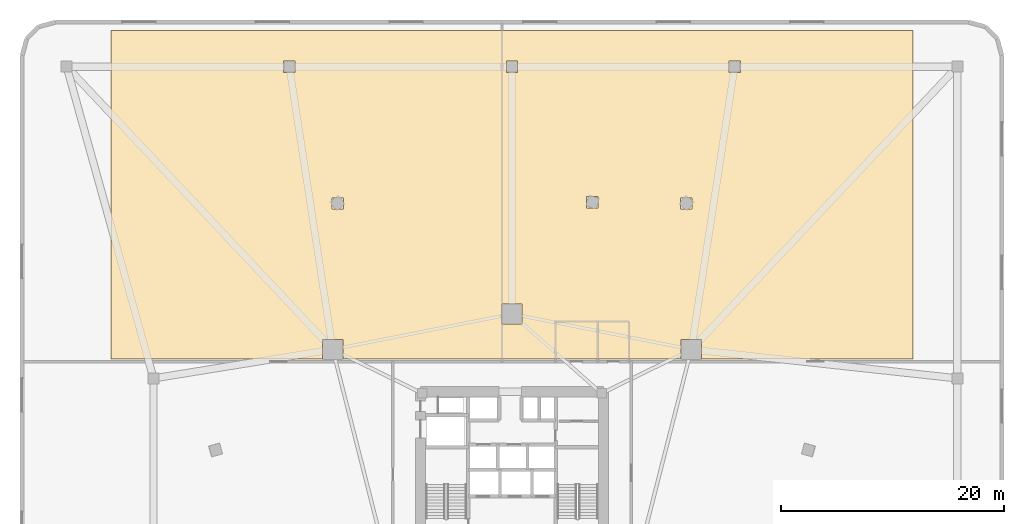
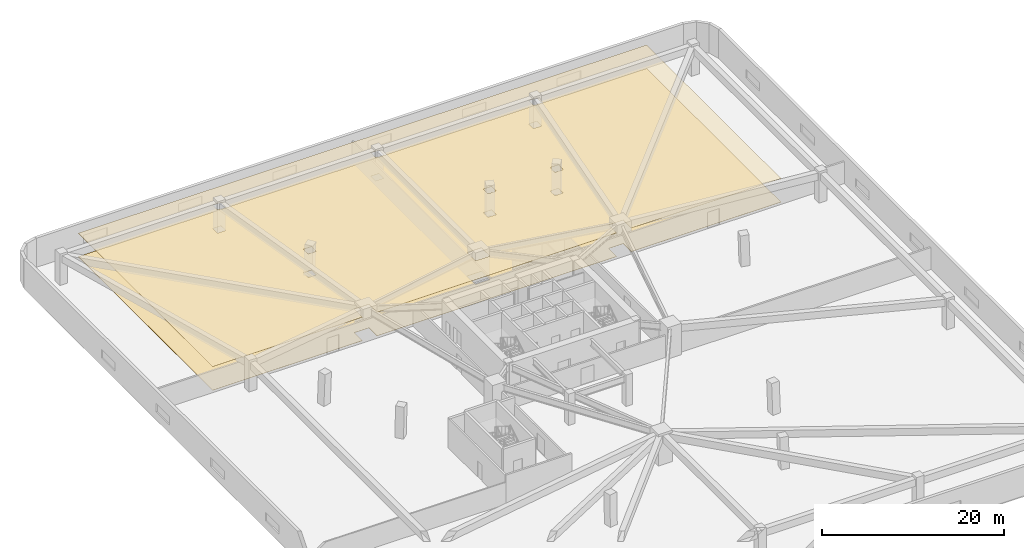
# One storey, part 10 of 10: 2 coverings.
"""IFC4 building model written with IfcOpenShell, lengths in metres."""

from ifc_helpers import new_model, si_unit, direction, frame, origin, place, context, subcontext, project, spatial, polyline, outline, extrude, material, layer, layer_set, type_object, element, save


model = new_model("IFC4")

# Units and contexts
model_context = context("Model", 3, precision=1e-05, world=origin(), true_north=direction((0.0, 1.0)))
body_context = subcontext(model_context, "Body", "Model", "MODEL_VIEW")
ifc_project = project(units=[si_unit("LENGTHUNIT", "METRE"), si_unit("AREAUNIT", "SQUARE_METRE"), si_unit("VOLUMEUNIT", "CUBIC_METRE"), si_unit("PLANEANGLEUNIT", "RADIAN"), si_unit("MASSUNIT", "GRAM", prefix="KILO")], contexts=[model_context])

# Site, building, storey
site_placement = place(None, origin())
site = spatial("IfcSite", under=ifc_project, at=site_placement, CompositionType="ELEMENT")
building_placement = place(site_placement, origin())
building = spatial("IfcBuilding", under=site, at=building_placement, Name="Talyreon Biosciences Tower", CompositionType="ELEMENT")
storey_placement = place(building_placement, frame((0.0, 0.0, 14.39990234375)))
storey = spatial("IfcBuildingStorey", under=building, at=storey_placement, Name="L03", CompositionType="ELEMENT", Elevation=14.39990234375)

# Coverings
ifc_material_1 = material(Name="Cleanable acoustic mineral-fibre ceiling tile", Category="gypsum")
ifc_layer_1 = layer(ifc_material_1, 0.0400390625)
ifc_layer_set_1 = layer_set([ifc_layer_1], Name="Cleanable acoustic mineral-fibre ceiling tile")
covering_type_1 = type_object("IfcCoveringType", Name="AcousticCleanroomCeiling_40", PredefinedType="CEILING", material=ifc_layer_set_1)
covering_1_placement = place(storey_placement, frame((0.0, 0.0, 3.14013671875)))
element("IfcCovering", 1, at=covering_1_placement, inside=storey, type_object=covering_type_1, Name="L03 Acoustic Laboratory Ceiling", PredefinedType="CEILING", context=body_context, shape_type="SweptSolid", body=[
    extrude(outline(polyline([(102.0, 77.75), (83.017333984375, 77.75), (83.017333984375, 79.513671875), (81.1875, 79.513671875), (81.1875, 77.75), (50.8125, 77.75), (50.8125, 79.513671875), (48.982666015625, 79.513671875), (48.982666015625, 77.75), (30.0, 77.75), (30.0, 107.25), (102.0, 107.25), (102.0, 77.75)]), holes=[polyline([(65.0849609375, 80.873779296875), (66.9150390625, 80.873779296875), (66.9150390625, 82.703857421875), (65.0849609375, 82.703857421875), (65.0849609375, 80.873779296875)]), polyline([(50.8720703125, 92.224853515625), (49.842041015625, 92.224853515625), (49.842041015625, 91.19482421875), (50.8720703125, 91.19482421875), (50.8720703125, 92.224853515625)]), polyline([(45.485107421875, 104.514892578125), (45.485107421875, 103.485107421875), (46.514892578125, 103.485107421875), (46.514892578125, 104.514892578125), (45.485107421875, 104.514892578125)]), polyline([(82.157958984375, 92.224853515625), (81.1279296875, 92.224853515625), (81.1279296875, 91.19482421875), (82.157958984375, 91.19482421875), (82.157958984375, 92.224853515625)]), polyline([(73.73486328125, 92.324951171875), (72.704833984375, 92.324951171875), (72.704833984375, 91.294921875), (73.73486328125, 91.294921875), (73.73486328125, 92.324951171875)]), polyline([(85.485107421875, 104.514892578125), (85.485107421875, 103.485107421875), (86.514892578125, 103.485107421875), (86.514892578125, 104.514892578125), (85.485107421875, 104.514892578125)]), polyline([(65.485107421875, 104.514892578125), (65.485107421875, 103.485107421875), (66.514892578125, 103.485107421875), (66.514892578125, 104.514892578125), (65.485107421875, 104.514892578125)])]), origin(), (0.0, 0.0, 1.0), 0.0400390625),
])
ifc_material_2 = material(Name="Polished limestone terrazzo flooring", Category="masonry")
ifc_layer_2 = layer(ifc_material_2, 0.02490234375)
ifc_layer_set_2 = layer_set([ifc_layer_2], Name="Polished limestone terrazzo flooring")
covering_type_2 = type_object("IfcCoveringType", Name="TerrazzoPublicFlooring_25", PredefinedType="FLOORING", material=ifc_layer_set_2)
covering_2_placement = place(storey_placement, origin())
element("IfcCovering", 2, at=covering_2_placement, inside=storey, type_object=covering_type_2, Name="L03 Laboratory Floor Finish", PredefinedType="FLOORING", context=body_context, shape_type="SweptSolid", body=[
    extrude(outline(polyline([(102.0, 77.75), (83.017333984375, 77.75), (83.017333984375, 79.513671875), (81.1875, 79.513671875), (81.1875, 77.75), (50.8125, 77.75), (50.8125, 79.513671875), (48.982666015625, 79.513671875), (48.982666015625, 77.75), (30.0, 77.75), (30.0, 107.25), (102.0, 107.25), (102.0, 77.75)]), holes=[polyline([(65.0849609375, 80.873779296875), (66.9150390625, 80.873779296875), (66.9150390625, 82.703857421875), (65.0849609375, 82.703857421875), (65.0849609375, 80.873779296875)]), polyline([(50.8720703125, 92.224853515625), (49.842041015625, 92.224853515625), (49.842041015625, 91.19482421875), (50.8720703125, 91.19482421875), (50.8720703125, 92.224853515625)]), polyline([(45.485107421875, 104.514892578125), (45.485107421875, 103.485107421875), (46.514892578125, 103.485107421875), (46.514892578125, 104.514892578125), (45.485107421875, 104.514892578125)]), polyline([(82.157958984375, 92.224853515625), (81.1279296875, 92.224853515625), (81.1279296875, 91.19482421875), (82.157958984375, 91.19482421875), (82.157958984375, 92.224853515625)]), polyline([(73.73486328125, 92.324951171875), (72.704833984375, 92.324951171875), (72.704833984375, 91.294921875), (73.73486328125, 91.294921875), (73.73486328125, 92.324951171875)]), polyline([(85.485107421875, 104.514892578125), (85.485107421875, 103.485107421875), (86.514892578125, 103.485107421875), (86.514892578125, 104.514892578125), (85.485107421875, 104.514892578125)]), polyline([(65.485107421875, 104.514892578125), (65.485107421875, 103.485107421875), (66.514892578125, 103.485107421875), (66.514892578125, 104.514892578125), (65.485107421875, 104.514892578125)])]), origin(), (0.0, 0.0, 1.0), 0.025146484375),
])

save(model, "model.ifc")
